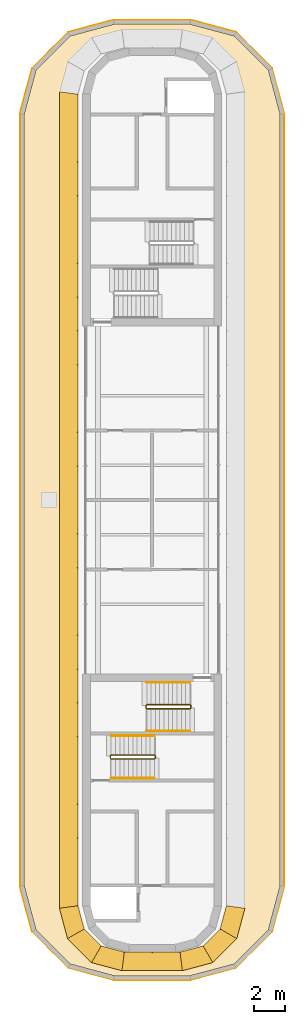
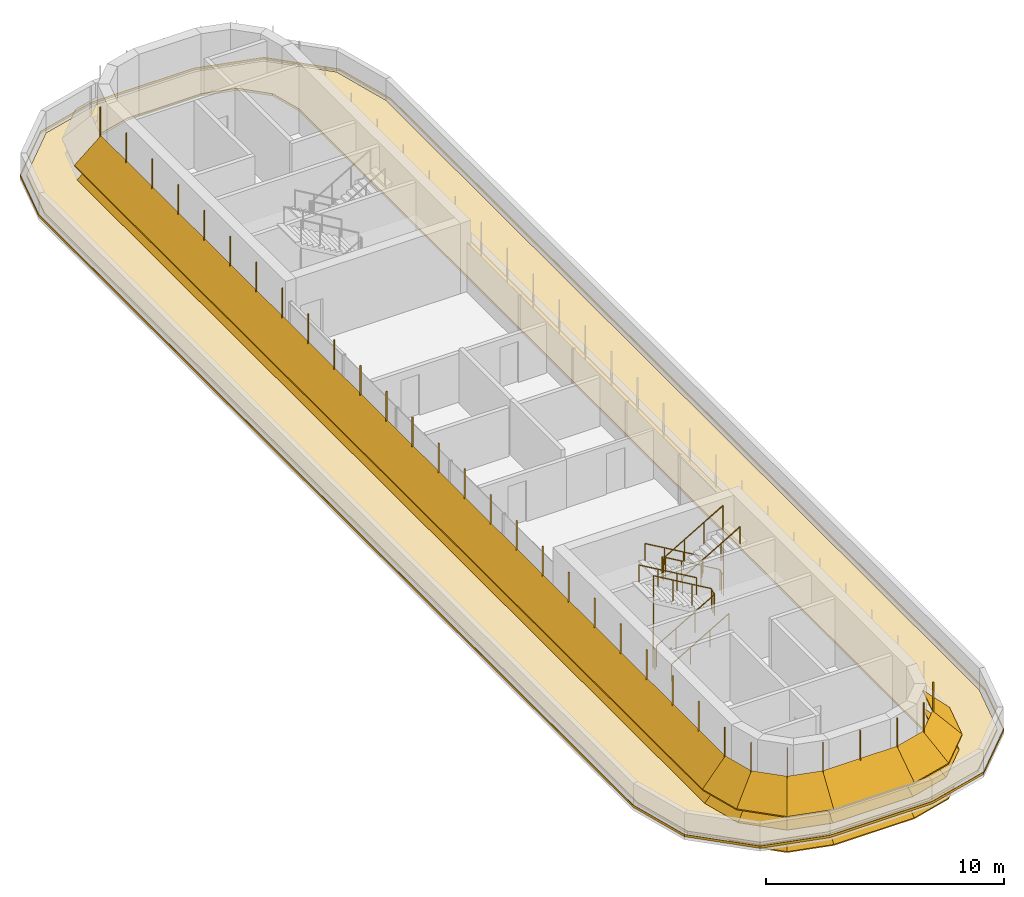
# One storey, part 5 of 6: 6 railings, 4 shading devices, 2 coverings.
"""IFC4 building model written with IfcOpenShell, lengths in metres."""

from ifc_helpers import new_model, si_unit, direction, frame, origin, origin_2d, place, context, subcontext, project, spatial, polyline, circle, outline, extrude, faceted_brep, source, transform, mapped, material, layer, layer_set, type_object, element, save


model = new_model("IFC4")

# Units and contexts
model_context = context("Model", 3, precision=1e-05, world=origin(), true_north=direction((0.0, 1.0)))
body_context = subcontext(model_context, "Body", "Model", "MODEL_VIEW")
ifc_project = project(units=[si_unit("LENGTHUNIT", "METRE"), si_unit("AREAUNIT", "SQUARE_METRE"), si_unit("VOLUMEUNIT", "CUBIC_METRE"), si_unit("PLANEANGLEUNIT", "RADIAN"), si_unit("MASSUNIT", "GRAM", prefix="KILO")], contexts=[model_context])

# Site, building, storey
site_placement = place(None, origin())
site = spatial("IfcSite", under=ifc_project, at=site_placement, CompositionType="ELEMENT")
building_placement = place(site_placement, origin())
building = spatial("IfcBuilding", under=site, at=building_placement, Name="Zarbagh Exchange Tower", CompositionType="ELEMENT")
storey_placement = place(building_placement, frame((0.0, 0.0, 313.199951171875)))
storey = spatial("IfcBuildingStorey", under=building, at=storey_placement, Name="L77", CompositionType="ELEMENT", Elevation=313.199951171875)

# Railings
ifc_material_1 = material(Name="Stainless steel", Category="steel")
railing_type_1 = type_object("IfcRailingType", Name="Stair guard 1100 mm", PredefinedType="GUARDRAIL", material=ifc_material_1)
railing_1_placement = place(storey_placement, frame((-2.64990234375, -16.75, 0.16357421875)))
element("IfcRailing", 1, at=railing_1_placement, inside=storey, type_object=railing_type_1, Name="ST3 stair guard 1", PredefinedType="GUARDRAIL", context=body_context, shape_type="SweptSolid", body=[
    extrude(circle(Radius=0.02392578125, at=origin_2d()), frame((0.0, 0.0, 1.076171875), z_axis=(0.863341702679, 0.0, 0.504619762213), x_axis=(0.0, 1.0, 0.0)), (0.0, 0.0, 1.0), 3.242919921875),
    extrude(circle(Radius=0.02392578125, at=origin_2d()), frame((2.7998046875, 0.0, 2.71240234375), z_axis=(0.707106781187, 0.707106781187, 0.0), x_axis=(-0.707106781187, 0.707106781187, 0.0)), (0.0, 0.0, 1.0), 0.07080078125),
    extrude(circle(Radius=0.02392578125, at=origin_2d()), frame((2.849853515625, 0.050048828125, 2.71240234375), z_axis=(0.0, 1.0, 0.0), x_axis=(-1.0, 0.0, 0.0)), (0.0, 0.0, 1.0), 0.14990234375),
    extrude(circle(Radius=0.02392578125, at=origin_2d()), frame((2.849853515625, 0.199951171875, 2.71240234375), z_axis=(-0.280808744504, 0.280808744504, 0.917765164963), x_axis=(-0.707106781187, -0.707106781187, 0.0)), (0.0, 0.0, 1.0), 0.17822265625),
    extrude(circle(Radius=0.02392578125, at=origin_2d()), frame((2.7998046875, 0.25, 2.8759765625), z_axis=(-0.863341702679, 0.0, 0.504619762213), x_axis=(0.0, -1.0, 0.0)), (0.0, 0.0, 1.0), 3.242919921875),
    extrude(circle(Radius=0.02392578125, at=origin_2d()), frame((0.0, 0.25, 4.5126953125), z_axis=(-0.013899389096, -0.013899389096, -0.999806788317), x_axis=(0.707106781187, -0.707106781187, 0.0)), (0.0, 0.0, 1.0), 3.600830078125),
    extrude(circle(Radius=0.02392578125, at=origin_2d()), frame((-0.050048828125, 0.199951171875, 0.91259765625), z_axis=(0.0, -1.0, 0.0), x_axis=(1.0, 0.0, 0.0)), (0.0, 0.0, 1.0), 0.14990234375),
    extrude(circle(Radius=0.02099609375, at=origin_2d()), origin(), (0.0, 0.0, 1.0), 1.052001953125),
    extrude(circle(Radius=0.02099609375, at=origin_2d()), frame((0.933349609375, 0.0, 0.54541015625)), (0.0, 0.0, 1.0), 1.052001953125),
    extrude(circle(Radius=0.02099609375, at=origin_2d()), frame((1.866455078125, 0.0, 1.091064453125)), (0.0, 0.0, 1.0), 1.052001953125),
    extrude(circle(Radius=0.02099609375, at=origin_2d()), frame((2.7998046875, 0.0, 1.636474609375)), (0.0, 0.0, 1.0), 1.052001953125),
    extrude(circle(Radius=0.02099609375, at=origin_2d()), frame((2.849853515625, 0.050048828125, 1.636474609375)), (0.0, 0.0, 1.0), 1.052001953125),
    extrude(circle(Radius=0.02099609375, at=origin_2d()), frame((2.849853515625, 0.199951171875, 1.636474609375)), (0.0, 0.0, 1.0), 1.052001953125),
    extrude(circle(Radius=0.02099609375, at=origin_2d()), frame((2.7998046875, 0.25, 1.800048828125)), (0.0, 0.0, 1.0), 1.052001953125),
    extrude(circle(Radius=0.02099609375, at=origin_2d()), frame((1.866455078125, 0.25, 2.345458984375)), (0.0, 0.0, 1.0), 1.052001953125),
    extrude(circle(Radius=0.02099609375, at=origin_2d()), frame((0.933349609375, 0.25, 2.89111328125)), (0.0, 0.0, 1.0), 1.052001953125),
    extrude(circle(Radius=0.02099609375, at=origin_2d()), frame((0.0, 0.25, 3.4365234375)), (0.0, 0.0, 1.0), 1.052001953125),
    extrude(circle(Radius=0.02099609375, at=origin_2d()), frame((-0.012451171875, 0.237548828125, 2.53662109375)), (0.0, 0.0, 1.0), 1.052001953125),
    extrude(circle(Radius=0.02099609375, at=origin_2d()), frame((-0.02490234375, 0.22509765625, 1.636474609375)), (0.0, 0.0, 1.0), 1.052001953125),
    extrude(circle(Radius=0.02099609375, at=origin_2d()), frame((-0.03759765625, 0.21240234375, 0.736328125)), (0.0, 0.0, 1.0), 1.052001953125),
    extrude(circle(Radius=0.02099609375, at=origin_2d()), frame((-0.050048828125, 0.199951171875, -0.16357421875)), (0.0, 0.0, 1.0), 1.052001953125),
    extrude(circle(Radius=0.02099609375, at=origin_2d()), frame((-0.050048828125, 0.050048828125, -0.16357421875)), (0.0, 0.0, 1.0), 1.052001953125),
])
railing_2_placement = place(storey_placement, frame((-0.35009765625, -13.5, 1.963623046875)))
element("IfcRailing", 2, at=railing_2_placement, inside=storey, type_object=railing_type_1, Name="ST4 stair guard 1", PredefinedType="GUARDRAIL", context=body_context, shape_type="SweptSolid", body=[
    extrude(circle(Radius=0.02392578125, at=origin_2d()), frame((0.0, 0.0, 1.076171875), z_axis=(0.863360870873, 0.0, 0.504586966384), x_axis=(0.0, 1.0, 0.0)), (0.0, 0.0, 1.0), 3.2431640625),
    extrude(circle(Radius=0.02392578125, at=origin_2d()), frame((2.800048828125, 0.0, 2.71240234375), z_axis=(0.013899389096, 0.013899389096, -0.999806788317), x_axis=(-0.707106781187, 0.707106781187, 0.0)), (0.0, 0.0, 1.0), 3.600830078125),
    extrude(circle(Radius=0.02392578125, at=origin_2d()), frame((2.85009765625, 0.050048828125, -0.8876953125), z_axis=(0.0, 1.0, 0.0), x_axis=(-1.0, 0.0, 0.0)), (0.0, 0.0, 1.0), 0.14990234375),
    extrude(circle(Radius=0.02392578125, at=origin_2d()), frame((2.85009765625, 0.199951171875, -0.8876953125), z_axis=(-0.280808744504, 0.280808744504, 0.917765164963), x_axis=(-0.707106781187, -0.707106781187, 0.0)), (0.0, 0.0, 1.0), 0.17822265625),
    extrude(circle(Radius=0.02392578125, at=origin_2d()), frame((2.800048828125, 0.25, -0.72412109375), z_axis=(-0.863360870873, 0.0, 0.504586966384), x_axis=(0.0, -1.0, 0.0)), (0.0, 0.0, 1.0), 3.2431640625),
    extrude(circle(Radius=0.02392578125, at=origin_2d()), frame((0.0, 0.25, 0.91259765625), z_axis=(-0.705375805398, -0.708833529934, 0.0), x_axis=(0.708833529934, -0.705375805398, 0.0)), (0.0, 0.0, 1.0), 0.070556640625),
    extrude(circle(Radius=0.02392578125, at=origin_2d()), frame((-0.0498046875, 0.199951171875, 0.91259765625), z_axis=(0.0, -1.0, 0.0), x_axis=(1.0, 0.0, 0.0)), (0.0, 0.0, 1.0), 0.14990234375),
    extrude(circle(Radius=0.02099609375, at=origin_2d()), origin(), (0.0, 0.0, 1.0), 1.052001953125),
    extrude(circle(Radius=0.02099609375, at=origin_2d()), frame((0.933349609375, 0.0, 0.54541015625)), (0.0, 0.0, 1.0), 1.052001953125),
    extrude(circle(Radius=0.02099609375, at=origin_2d()), frame((1.86669921875, 0.0, 1.091064453125)), (0.0, 0.0, 1.0), 1.052001953125),
    extrude(circle(Radius=0.02099609375, at=origin_2d()), frame((2.800048828125, 0.0, 1.636474609375)), (0.0, 0.0, 1.0), 1.052001953125),
    extrude(circle(Radius=0.02099609375, at=origin_2d()), frame((2.8125, 0.012451171875, 0.736328125)), (0.0, 0.0, 1.0), 1.052001953125),
    extrude(circle(Radius=0.02099609375, at=origin_2d()), frame((2.8251953125, 0.02490234375, -0.16357421875)), (0.0, 0.0, 1.0), 1.052001953125),
    extrude(circle(Radius=0.02099609375, at=origin_2d()), frame((2.837646484375, 0.03759765625, -1.0634765625)), (0.0, 0.0, 1.0), 1.052001953125),
    extrude(circle(Radius=0.02099609375, at=origin_2d()), frame((2.85009765625, 0.050048828125, -1.963623046875)), (0.0, 0.0, 1.0), 1.052001953125),
    extrude(circle(Radius=0.02099609375, at=origin_2d()), frame((2.85009765625, 0.199951171875, -1.963623046875)), (0.0, 0.0, 1.0), 1.052001953125),
    extrude(circle(Radius=0.02099609375, at=origin_2d()), frame((2.800048828125, 0.25, -1.800048828125)), (0.0, 0.0, 1.0), 1.052001953125),
    extrude(circle(Radius=0.02099609375, at=origin_2d()), frame((1.86669921875, 0.25, -1.254638671875)), (0.0, 0.0, 1.0), 1.052001953125),
    extrude(circle(Radius=0.02099609375, at=origin_2d()), frame((0.933349609375, 0.25, -0.708984375)), (0.0, 0.0, 1.0), 1.052001953125),
    extrude(circle(Radius=0.02099609375, at=origin_2d()), frame((0.0, 0.25, -0.16357421875)), (0.0, 0.0, 1.0), 1.052001953125),
    extrude(circle(Radius=0.02099609375, at=origin_2d()), frame((-0.0498046875, 0.199951171875, -0.16357421875)), (0.0, 0.0, 1.0), 1.052001953125),
    extrude(circle(Radius=0.02099609375, at=origin_2d()), frame((-0.0498046875, 0.050048828125, -0.16357421875)), (0.0, 0.0, 1.0), 1.052001953125),
])
railing_type_2 = type_object("IfcRailingType", Name="Stair handrail 900 mm", PredefinedType="HANDRAIL", material=ifc_material_1)
railing_3_placement = place(storey_placement, frame((-2.64990234375, -18.0, 0.16357421875)))
element("IfcRailing", 3, at=railing_3_placement, inside=storey, type_object=railing_type_2, Name="ST3 stair handrail 1", PredefinedType="HANDRAIL", context=body_context, shape_type="SweptSolid", body=[
    extrude(circle(Radius=0.02392578125, at=origin_2d()), frame((0.0, 0.0, 0.8759765625), z_axis=(0.863341702679, 0.0, 0.504619762213), x_axis=(0.0, 1.0, 0.0)), (0.0, 0.0, 1.0), 3.242919921875),
    extrude(circle(Radius=0.02099609375, at=origin_2d()), origin(), (0.0, 0.0, 1.0), 0.851806640625),
    extrude(circle(Radius=0.02099609375, at=origin_2d()), frame((0.933349609375, 0.0, 0.54541015625)), (0.0, 0.0, 1.0), 0.851806640625),
    extrude(circle(Radius=0.02099609375, at=origin_2d()), frame((1.866455078125, 0.0, 1.091064453125)), (0.0, 0.0, 1.0), 0.851806640625),
    extrude(circle(Radius=0.02099609375, at=origin_2d()), frame((2.7998046875, 0.0, 1.636474609375)), (0.0, 0.0, 1.0), 0.851806640625),
])
railing_4_placement = place(storey_placement, frame((0.14990234375, -15.25, 1.963623046875)))
element("IfcRailing", 4, at=railing_4_placement, inside=storey, type_object=railing_type_2, Name="ST3 stair handrail 2", PredefinedType="HANDRAIL", context=body_context, shape_type="SweptSolid", body=[
    extrude(circle(Radius=0.02392578125, at=origin_2d()), frame((0.0, 0.0, 0.8759765625), z_axis=(-0.863341702679, 0.0, 0.504619762213), x_axis=(0.0, -1.0, 0.0)), (0.0, 0.0, 1.0), 3.242919921875),
    extrude(circle(Radius=0.02099609375, at=origin_2d()), origin(), (0.0, 0.0, 1.0), 0.851806640625),
    extrude(circle(Radius=0.02099609375, at=origin_2d()), frame((-0.933349609375, 0.0, 0.54541015625)), (0.0, 0.0, 1.0), 0.851806640625),
    extrude(circle(Radius=0.02099609375, at=origin_2d()), frame((-1.866455078125, 0.0, 1.091064453125)), (0.0, 0.0, 1.0), 0.851806640625),
    extrude(circle(Radius=0.02099609375, at=origin_2d()), frame((-2.7998046875, 0.0, 1.636474609375)), (0.0, 0.0, 1.0), 0.851806640625),
])
railing_5_placement = place(storey_placement, frame((2.449951171875, -11.800048828125, 0.16357421875)))
element("IfcRailing", 5, at=railing_5_placement, inside=storey, type_object=railing_type_2, Name="ST4 stair handrail 1", PredefinedType="HANDRAIL", context=body_context, shape_type="SweptSolid", body=[
    extrude(circle(Radius=0.02392578125, at=origin_2d()), frame((0.0, 0.0, 0.8759765625), z_axis=(-0.863360870873, 0.0, 0.504586966384), x_axis=(0.0, -1.0, 0.0)), (0.0, 0.0, 1.0), 3.2431640625),
    extrude(circle(Radius=0.02099609375, at=origin_2d()), origin(), (0.0, 0.0, 1.0), 0.851806640625),
    extrude(circle(Radius=0.02099609375, at=origin_2d()), frame((-0.933349609375, 0.0, 0.54541015625)), (0.0, 0.0, 1.0), 0.851806640625),
    extrude(circle(Radius=0.02099609375, at=origin_2d()), frame((-1.86669921875, 0.0, 1.091064453125)), (0.0, 0.0, 1.0), 0.851806640625),
    extrude(circle(Radius=0.02099609375, at=origin_2d()), frame((-2.800048828125, 0.0, 1.636474609375)), (0.0, 0.0, 1.0), 0.851806640625),
])
railing_6_placement = place(storey_placement, frame((-0.35009765625, -14.949951171875, 1.963623046875)))
element("IfcRailing", 6, at=railing_6_placement, inside=storey, type_object=railing_type_2, Name="ST4 stair handrail 2", PredefinedType="HANDRAIL", context=body_context, shape_type="SweptSolid", body=[
    extrude(circle(Radius=0.02392578125, at=origin_2d()), frame((0.0, 0.0, 0.8759765625), z_axis=(0.863360870873, 0.0, 0.504586966384), x_axis=(0.0, 1.0, 0.0)), (0.0, 0.0, 1.0), 3.2431640625),
    extrude(circle(Radius=0.02099609375, at=origin_2d()), origin(), (0.0, 0.0, 1.0), 0.851806640625),
    extrude(circle(Radius=0.02099609375, at=origin_2d()), frame((0.933349609375, 0.0, 0.54541015625)), (0.0, 0.0, 1.0), 0.851806640625),
    extrude(circle(Radius=0.02099609375, at=origin_2d()), frame((1.86669921875, 0.0, 1.091064453125)), (0.0, 0.0, 1.0), 0.851806640625),
    extrude(circle(Radius=0.02099609375, at=origin_2d()), frame((2.800048828125, 0.0, 1.636474609375)), (0.0, 0.0, 1.0), 0.851806640625),
])

# Coverings
ifc_material_2 = material(Name="Bituminous membrane and screed")
ifc_layer = layer(ifc_material_2, 0.1201171875)
ifc_layer_set = layer_set([ifc_layer], Name="Terrace roofing build-up, waterproofing and screed")
covering_type = type_object("IfcCoveringType", Name="Terrace roofing build-up, waterproofing and screed", PredefinedType="ROOFING", material=ifc_layer_set)
covering_1_placement = place(storey_placement, origin())
element("IfcCovering", 7, at=covering_1_placement, inside=storey, type_object=covering_type, Name="crown roofing", PredefinedType="ROOFING", context=body_context, shape_type="SweptSolid", body=[
    extrude(outline(polyline([(-5.431640625, -30.260986328125), (-7.760986328125, -27.931640625), (-8.550048828125, -24.987060546875), (-8.550048828125, 24.987060546875), (-7.760986328125, 27.931640625), (-5.431640625, 30.260986328125), (-2.487060546875, 31.050048828125), (2.487060546875, 31.050048828125), (5.431640625, 30.260986328125), (7.760986328125, 27.931640625), (8.550048828125, 24.987060546875), (8.550048828125, -24.987060546875), (7.760986328125, -27.931640625), (5.431640625, -30.260986328125), (2.487060546875, -31.050048828125), (-2.487060546875, -31.050048828125), (-5.431640625, -30.260986328125)]), holes=[polyline([(-8.530029296875, -24.984375), (-7.742919921875, -27.92138671875), (-5.42138671875, -30.242919921875), (-2.484375, -31.030029296875), (2.484375, -31.030029296875), (5.42138671875, -30.242919921875), (7.742919921875, -27.92138671875), (8.530029296875, -24.984375), (8.530029296875, 24.984375), (7.742919921875, 27.92138671875), (5.42138671875, 30.242919921875), (2.484375, 31.030029296875), (-2.484375, 31.030029296875), (-5.42138671875, 30.242919921875), (-7.742919921875, 27.92138671875), (-8.530029296875, 24.984375), (-8.530029296875, -24.984375)])]), origin(), (0.0, 0.0, 1.0), 0.1201171875),
])
covering_2_placement = place(storey_placement, origin())
element("IfcCovering", 8, at=covering_2_placement, inside=storey, type_object=covering_type, Name="crown roofing", PredefinedType="ROOFING", context=body_context, shape_type="SweptSolid", body=[
    extrude(outline(polyline([(2.451416015625, 30.780029296875), (5.2919921875, 30.018798828125), (7.518798828125, 27.7919921875), (8.280029296875, 24.951416015625), (8.280029296875, -24.951416015625), (7.518798828125, -27.7919921875), (5.2919921875, -30.018798828125), (2.451416015625, -30.780029296875), (-2.451416015625, -30.780029296875), (-5.2919921875, -30.018798828125), (-7.518798828125, -27.7919921875), (-8.280029296875, -24.951416015625), (-8.280029296875, 24.951416015625), (-7.518798828125, 27.7919921875), (-5.2919921875, 30.018798828125), (-2.451416015625, 30.780029296875), (2.451416015625, 30.780029296875)]), holes=[polyline([(4.398193359375, -27.75), (4.800048828125, -26.25), (4.800048828125, 26.25), (4.398193359375, 27.75), (3.300048828125, 28.84814453125), (1.800048828125, 29.25), (-1.800048828125, 29.25), (-3.300048828125, 28.84814453125), (-4.398193359375, 27.75), (-4.800048828125, 26.25), (-4.800048828125, -26.25), (-4.398193359375, -27.75), (-3.300048828125, -28.84814453125), (-1.800048828125, -29.25), (1.800048828125, -29.25), (3.300048828125, -28.84814453125), (4.398193359375, -27.75)])]), origin(), (0.0, 0.0, 1.0), 0.1201171875),
])

# Shading devices
ifc_material_3 = material(Name="Anodised aluminium blades and brackets", Category="aluminium")
shading_device_type = type_object("IfcShadingDeviceType", Name="SUNSHADE louvre band, 45 degree blades", PredefinedType="JALOUSIE", material=ifc_material_3)
shared_shape_1 = source(origin(), body_context, "Body", "Brep", [
    faceted_brep([(0.0, 0.0, 0.0), (0.0, 0.0, -0.056640625), (-0.157958984375, -1.199951171875, -1.256591796875), (-0.157958984375, -1.199951171875, -1.199951171875), (1.87451171875, -1.199951171875, -1.199951171875), (1.87451171875, -1.199951171875, -1.256591796875), (1.552978515625, 0.0, -0.056640625), (1.552978515625, 0.0, 0.0)], [[[0, 1, 2, 3]], [[4, 5, 6, 7]], [[0, 7, 6, 1]], [[1, 6, 5, 2]], [[2, 5, 4, 3]], [[3, 4, 7, 0]]]),
])
shared_shape_2 = source(origin(), body_context, "Body", "Brep", [
    faceted_brep([(0.0, 0.0, 0.0), (0.0, 0.0, -0.056640625), (-0.321533203125, -1.199951171875, -1.256591796875), (-0.321533203125, -1.199951171875, -1.199951171875), (1.87451171875, -1.199951171875, -1.199951171875), (1.87451171875, -1.199951171875, -1.256591796875), (1.552978515625, 0.0, -0.056640625), (1.552978515625, 0.0, 0.0)], [[[0, 1, 2, 3]], [[4, 5, 6, 7]], [[0, 7, 6, 1]], [[1, 6, 5, 2]], [[2, 5, 4, 3]], [[3, 4, 7, 0]]]),
])
shared_shape_3 = source(origin(), body_context, "Body", "Brep", [
    faceted_brep([(0.0, 0.0, 0.0), (0.0, 0.0, -0.056640625), (-0.321533203125, -1.199951171875, -1.256591796875), (-0.321533203125, -1.199951171875, -1.199951171875), (1.7109375, -1.199951171875, -1.199951171875), (1.7109375, -1.199951171875, -1.256591796875), (1.552978515625, 0.0, -0.056640625), (1.552978515625, 0.0, 0.0)], [[[0, 1, 2, 3]], [[4, 5, 6, 7]], [[0, 7, 6, 1]], [[1, 6, 5, 2]], [[2, 5, 4, 3]], [[3, 4, 7, 0]]]),
])
shared_shape_4 = source(origin(), body_context, "Body", "SweptSolid", [
    extrude(outline(polyline([(0.0, -0.012451171875), (0.06005859375, -0.012451171875), (0.06005859375, 0.012451171875), (0.0, 0.012451171875), (0.0, -0.012451171875)])), origin(), (0.0, 0.0, 1.0), 3.366455078125),
])
placement = place(storey_placement, origin())
element("IfcShadingDevice", 9, at=placement, inside=storey, type_object=shading_device_type, Name="SS74 sunshade band", PredefinedType="JALOUSIE", context=body_context, shape_type="MappedRepresentation", body=[
    mapped(shared_shape_1, transform((1.800048828125, -29.25, 2.10009765625), x_axis=(0.965929656001, 0.258804752, 0.0), y_axis=(-0.258804752, 0.965929656001, 0.0), z_axis=(0.0, 0.0, 1.0))),
    mapped(shared_shape_1, transform((1.800048828125, -29.25, 1.199951171875), x_axis=(0.965929656001, 0.258804752, 0.0), y_axis=(-0.258804752, 0.965929656001, 0.0), z_axis=(0.0, 0.0, 1.0))),
    mapped(shared_shape_1, transform((1.800048828125, -29.25, 0.300048828125), x_axis=(0.965929656001, 0.258804752, 0.0), y_axis=(-0.258804752, 0.965929656001, 0.0), z_axis=(0.0, 0.0, 1.0))),
    mapped(shared_shape_2, transform((3.300048828125, -28.84814453125, 2.10009765625), x_axis=(0.707106781187, 0.707106781187, 0.0), y_axis=(-0.707106781187, 0.707106781187, 0.0), z_axis=(0.0, 0.0, 1.0))),
    mapped(shared_shape_2, transform((3.300048828125, -28.84814453125, 1.199951171875), x_axis=(0.707106781187, 0.707106781187, 0.0), y_axis=(-0.707106781187, 0.707106781187, 0.0), z_axis=(0.0, 0.0, 1.0))),
    mapped(shared_shape_2, transform((3.300048828125, -28.84814453125, 0.300048828125), x_axis=(0.707106781187, 0.707106781187, 0.0), y_axis=(-0.707106781187, 0.707106781187, 0.0), z_axis=(0.0, 0.0, 1.0))),
    mapped(shared_shape_3, transform((4.398193359375, -27.75, 2.10009765625), x_axis=(0.258804752, 0.965929656001, 0.0), y_axis=(-0.965929656001, 0.258804752, 0.0), z_axis=(0.0, 0.0, 1.0))),
    mapped(shared_shape_3, transform((4.398193359375, -27.75, 1.199951171875), x_axis=(0.258804752, 0.965929656001, 0.0), y_axis=(-0.965929656001, 0.258804752, 0.0), z_axis=(0.0, 0.0, 1.0))),
    mapped(shared_shape_3, transform((4.398193359375, -27.75, 0.300048828125), x_axis=(0.258804752, 0.965929656001, 0.0), y_axis=(-0.965929656001, 0.258804752, 0.0), z_axis=(0.0, 0.0, 1.0))),
    mapped(shared_shape_4, transform((1.800048828125, -29.25, 0.21337890625), x_axis=(0.130518956985, -0.991445813884, 0.0), y_axis=(0.991445813884, 0.130518956985, 0.0), z_axis=(0.0, 0.0, 1.0))),
    mapped(shared_shape_4, transform((3.300048828125, -28.84814453125, 0.21337890625), x_axis=(0.499993648036, -0.866029071062, 0.0), y_axis=(0.866029071062, 0.499993648036, 0.0), z_axis=(0.0, 0.0, 1.0))),
    mapped(shared_shape_4, transform((4.398193359375, -27.75, 0.21337890625), x_axis=(0.866029071062, -0.499993648036, 0.0), y_axis=(0.499993648036, 0.866029071062, 0.0), z_axis=(0.0, 0.0, 1.0))),
])
shared_shape_5 = source(origin(), body_context, "Body", "Brep", [
    faceted_brep([(0.0, 0.0, 0.0), (0.0, 0.0, -0.056640625), (-0.157958984375, -1.199951171875, -1.256591796875), (-0.157958984375, -1.199951171875, -1.199951171875), (52.657958984375, -1.199951171875, -1.199951171875), (52.657958984375, -1.199951171875, -1.256591796875), (52.5, 0.0, -0.056640625), (52.5, 0.0, 0.0)], [[[0, 1, 2, 3]], [[4, 5, 6, 7]], [[0, 7, 6, 1]], [[1, 6, 5, 2]], [[2, 5, 4, 3]], [[3, 4, 7, 0]]]),
])
element("IfcShadingDevice", 10, at=placement, inside=storey, type_object=shading_device_type, Name="SS78 sunshade band", PredefinedType="JALOUSIE", context=body_context, shape_type="MappedRepresentation", body=[
    mapped(shared_shape_5, transform((-4.800048828125, 26.25, 2.10009765625), x_axis=(0.0, -1.0, 0.0), y_axis=(1.0, 0.0, 0.0), z_axis=(0.0, 0.0, 1.0))),
    mapped(shared_shape_5, transform((-4.800048828125, 26.25, 1.199951171875), x_axis=(0.0, -1.0, 0.0), y_axis=(1.0, 0.0, 0.0), z_axis=(0.0, 0.0, 1.0))),
    mapped(shared_shape_5, transform((-4.800048828125, 26.25, 0.300048828125), x_axis=(0.0, -1.0, 0.0), y_axis=(1.0, 0.0, 0.0), z_axis=(0.0, 0.0, 1.0))),
    mapped(shared_shape_4, transform((-4.800048828125, 26.25, 0.21337890625), x_axis=(-0.991445813884, 0.130518956985, 0.0), y_axis=(-0.130518956985, -0.991445813884, 0.0), z_axis=(0.0, 0.0, 1.0))),
    mapped(shared_shape_4, transform((-4.800048828125, 24.0625, 0.21337890625), x_axis=(-1.0, 0.0, 0.0), y_axis=(0.0, -1.0, 0.0), z_axis=(0.0, 0.0, 1.0))),
    mapped(shared_shape_4, transform((-4.800048828125, 21.875, 0.21337890625), x_axis=(-1.0, 0.0, 0.0), y_axis=(0.0, -1.0, 0.0), z_axis=(0.0, 0.0, 1.0))),
    mapped(shared_shape_4, transform((-4.800048828125, 19.6875, 0.21337890625), x_axis=(-1.0, 0.0, 0.0), y_axis=(0.0, -1.0, 0.0), z_axis=(0.0, 0.0, 1.0))),
    mapped(shared_shape_4, transform((-4.800048828125, 17.5, 0.21337890625), x_axis=(-1.0, 0.0, 0.0), y_axis=(0.0, -1.0, 0.0), z_axis=(0.0, 0.0, 1.0))),
    mapped(shared_shape_4, transform((-4.800048828125, 15.3125, 0.21337890625), x_axis=(-1.0, 0.0, 0.0), y_axis=(0.0, -1.0, 0.0), z_axis=(0.0, 0.0, 1.0))),
    mapped(shared_shape_4, transform((-4.800048828125, 13.125, 0.21337890625), x_axis=(-1.0, 0.0, 0.0), y_axis=(0.0, -1.0, 0.0), z_axis=(0.0, 0.0, 1.0))),
    mapped(shared_shape_4, transform((-4.800048828125, 10.9375, 0.21337890625), x_axis=(-1.0, 0.0, 0.0), y_axis=(0.0, -1.0, 0.0), z_axis=(0.0, 0.0, 1.0))),
    mapped(shared_shape_4, transform((-4.800048828125, 8.75, 0.21337890625), x_axis=(-1.0, 0.0, 0.0), y_axis=(0.0, -1.0, 0.0), z_axis=(0.0, 0.0, 1.0))),
    mapped(shared_shape_4, transform((-4.800048828125, 6.5625, 0.21337890625), x_axis=(-1.0, 0.0, 0.0), y_axis=(0.0, -1.0, 0.0), z_axis=(0.0, 0.0, 1.0))),
    mapped(shared_shape_4, transform((-4.800048828125, 4.375, 0.21337890625), x_axis=(-1.0, 0.0, 0.0), y_axis=(0.0, -1.0, 0.0), z_axis=(0.0, 0.0, 1.0))),
    mapped(shared_shape_4, transform((-4.800048828125, 2.1875, 0.21337890625), x_axis=(-1.0, 0.0, 0.0), y_axis=(0.0, -1.0, 0.0), z_axis=(0.0, 0.0, 1.0))),
    mapped(shared_shape_4, transform((-4.800048828125, 0.0, 0.21337890625), x_axis=(-1.0, 0.0, 0.0), y_axis=(0.0, -1.0, 0.0), z_axis=(0.0, 0.0, 1.0))),
    mapped(shared_shape_4, transform((-4.800048828125, -2.1875, 0.21337890625), x_axis=(-1.0, 0.0, 0.0), y_axis=(0.0, -1.0, 0.0), z_axis=(0.0, 0.0, 1.0))),
    mapped(shared_shape_4, transform((-4.800048828125, -4.375, 0.21337890625), x_axis=(-1.0, 0.0, 0.0), y_axis=(0.0, -1.0, 0.0), z_axis=(0.0, 0.0, 1.0))),
    mapped(shared_shape_4, transform((-4.800048828125, -6.5625, 0.21337890625), x_axis=(-1.0, 0.0, 0.0), y_axis=(0.0, -1.0, 0.0), z_axis=(0.0, 0.0, 1.0))),
    mapped(shared_shape_4, transform((-4.800048828125, -8.75, 0.21337890625), x_axis=(-1.0, 0.0, 0.0), y_axis=(0.0, -1.0, 0.0), z_axis=(0.0, 0.0, 1.0))),
    mapped(shared_shape_4, transform((-4.800048828125, -10.9375, 0.21337890625), x_axis=(-1.0, 0.0, 0.0), y_axis=(0.0, -1.0, 0.0), z_axis=(0.0, 0.0, 1.0))),
    mapped(shared_shape_4, transform((-4.800048828125, -13.125, 0.21337890625), x_axis=(-1.0, 0.0, 0.0), y_axis=(0.0, -1.0, 0.0), z_axis=(0.0, 0.0, 1.0))),
    mapped(shared_shape_4, transform((-4.800048828125, -15.3125, 0.21337890625), x_axis=(-1.0, 0.0, 0.0), y_axis=(0.0, -1.0, 0.0), z_axis=(0.0, 0.0, 1.0))),
    mapped(shared_shape_4, transform((-4.800048828125, -17.5, 0.21337890625), x_axis=(-1.0, 0.0, 0.0), y_axis=(0.0, -1.0, 0.0), z_axis=(0.0, 0.0, 1.0))),
    mapped(shared_shape_4, transform((-4.800048828125, -19.6875, 0.21337890625), x_axis=(-1.0, 0.0, 0.0), y_axis=(0.0, -1.0, 0.0), z_axis=(0.0, 0.0, 1.0))),
    mapped(shared_shape_4, transform((-4.800048828125, -21.875, 0.21337890625), x_axis=(-1.0, 0.0, 0.0), y_axis=(0.0, -1.0, 0.0), z_axis=(0.0, 0.0, 1.0))),
    mapped(shared_shape_4, transform((-4.800048828125, -24.0625, 0.21337890625), x_axis=(-1.0, 0.0, 0.0), y_axis=(0.0, -1.0, 0.0), z_axis=(0.0, 0.0, 1.0))),
])
element("IfcShadingDevice", 11, at=placement, inside=storey, type_object=shading_device_type, Name="SS79 sunshade band", PredefinedType="JALOUSIE", context=body_context, shape_type="MappedRepresentation", body=[
    mapped(shared_shape_1, transform((-4.800048828125, -26.25, 2.10009765625), x_axis=(0.258804752, -0.965929656001, 0.0), y_axis=(0.965929656001, 0.258804752, 0.0), z_axis=(0.0, 0.0, 1.0))),
    mapped(shared_shape_1, transform((-4.800048828125, -26.25, 1.199951171875), x_axis=(0.258804752, -0.965929656001, 0.0), y_axis=(0.965929656001, 0.258804752, 0.0), z_axis=(0.0, 0.0, 1.0))),
    mapped(shared_shape_1, transform((-4.800048828125, -26.25, 0.300048828125), x_axis=(0.258804752, -0.965929656001, 0.0), y_axis=(0.965929656001, 0.258804752, 0.0), z_axis=(0.0, 0.0, 1.0))),
    mapped(shared_shape_2, transform((-4.398193359375, -27.75, 2.10009765625), x_axis=(0.707106781187, -0.707106781187, 0.0), y_axis=(0.707106781187, 0.707106781187, 0.0), z_axis=(0.0, 0.0, 1.0))),
    mapped(shared_shape_2, transform((-4.398193359375, -27.75, 1.199951171875), x_axis=(0.707106781187, -0.707106781187, 0.0), y_axis=(0.707106781187, 0.707106781187, 0.0), z_axis=(0.0, 0.0, 1.0))),
    mapped(shared_shape_2, transform((-4.398193359375, -27.75, 0.300048828125), x_axis=(0.707106781187, -0.707106781187, 0.0), y_axis=(0.707106781187, 0.707106781187, 0.0), z_axis=(0.0, 0.0, 1.0))),
    mapped(shared_shape_3, transform((-3.300048828125, -28.84814453125, 2.10009765625), x_axis=(0.965929656001, -0.258804752, 0.0), y_axis=(0.258804752, 0.965929656001, 0.0), z_axis=(0.0, 0.0, 1.0))),
    mapped(shared_shape_3, transform((-3.300048828125, -28.84814453125, 1.199951171875), x_axis=(0.965929656001, -0.258804752, 0.0), y_axis=(0.258804752, 0.965929656001, 0.0), z_axis=(0.0, 0.0, 1.0))),
    mapped(shared_shape_3, transform((-3.300048828125, -28.84814453125, 0.300048828125), x_axis=(0.965929656001, -0.258804752, 0.0), y_axis=(0.258804752, 0.965929656001, 0.0), z_axis=(0.0, 0.0, 1.0))),
    mapped(shared_shape_4, transform((-4.800048828125, -26.25, 0.21337890625), x_axis=(-0.991445813884, -0.130518956985, 0.0), y_axis=(0.130518956985, -0.991445813884, 0.0), z_axis=(0.0, 0.0, 1.0))),
    mapped(shared_shape_4, transform((-4.398193359375, -27.75, 0.21337890625), x_axis=(-0.866029071062, -0.499993648036, 0.0), y_axis=(0.499993648036, -0.866029071062, 0.0), z_axis=(0.0, 0.0, 1.0))),
    mapped(shared_shape_4, transform((-3.300048828125, -28.84814453125, 0.21337890625), x_axis=(-0.499993648036, -0.866029071062, 0.0), y_axis=(0.866029071062, -0.499993648036, 0.0), z_axis=(0.0, 0.0, 1.0))),
])
shared_shape_6 = source(origin(), body_context, "Body", "Brep", [
    faceted_brep([(0.0, 0.0, 0.0), (0.0, 0.0, -0.056640625), (-0.157958984375, -1.199951171875, -1.256591796875), (-0.157958984375, -1.199951171875, -1.199951171875), (3.758056640625, -1.199951171875, -1.199951171875), (3.758056640625, -1.199951171875, -1.256591796875), (3.60009765625, 0.0, -0.056640625), (3.60009765625, 0.0, 0.0)], [[[0, 1, 2, 3]], [[4, 5, 6, 7]], [[0, 7, 6, 1]], [[1, 6, 5, 2]], [[2, 5, 4, 3]], [[3, 4, 7, 0]]]),
])
element("IfcShadingDevice", 12, at=placement, inside=storey, type_object=shading_device_type, Name="SS69 sunshade band", PredefinedType="JALOUSIE", context=body_context, shape_type="MappedRepresentation", body=[
    mapped(shared_shape_6, transform((-1.800048828125, -29.25, 2.10009765625), x_axis=(1.0, 0.0, 0.0), y_axis=(0.0, 1.0, 0.0), z_axis=(0.0, 0.0, 1.0))),
    mapped(shared_shape_6, transform((-1.800048828125, -29.25, 1.199951171875), x_axis=(1.0, 0.0, 0.0), y_axis=(0.0, 1.0, 0.0), z_axis=(0.0, 0.0, 1.0))),
    mapped(shared_shape_6, transform((-1.800048828125, -29.25, 0.300048828125), x_axis=(1.0, 0.0, 0.0), y_axis=(0.0, 1.0, 0.0), z_axis=(0.0, 0.0, 1.0))),
    mapped(shared_shape_4, transform((-1.800048828125, -29.25, 0.21337890625), x_axis=(-0.130518956985, -0.991445813884, 0.0), y_axis=(0.991445813884, -0.130518956985, 0.0), z_axis=(0.0, 0.0, 1.0))),
    mapped(shared_shape_4, transform((0.0, -29.25, 0.21337890625), x_axis=(0.0, -1.0, 0.0), y_axis=(1.0, 0.0, 0.0), z_axis=(0.0, 0.0, 1.0))),
])

save(model, "model.ifc")
